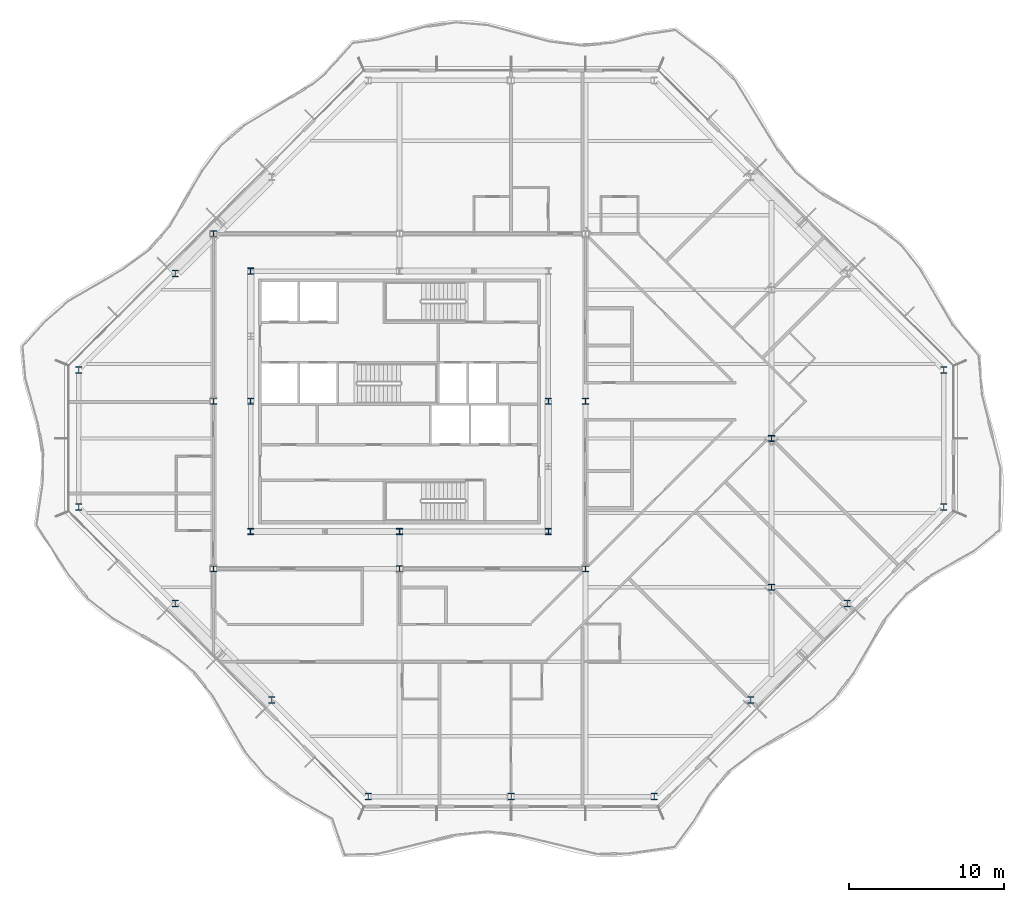
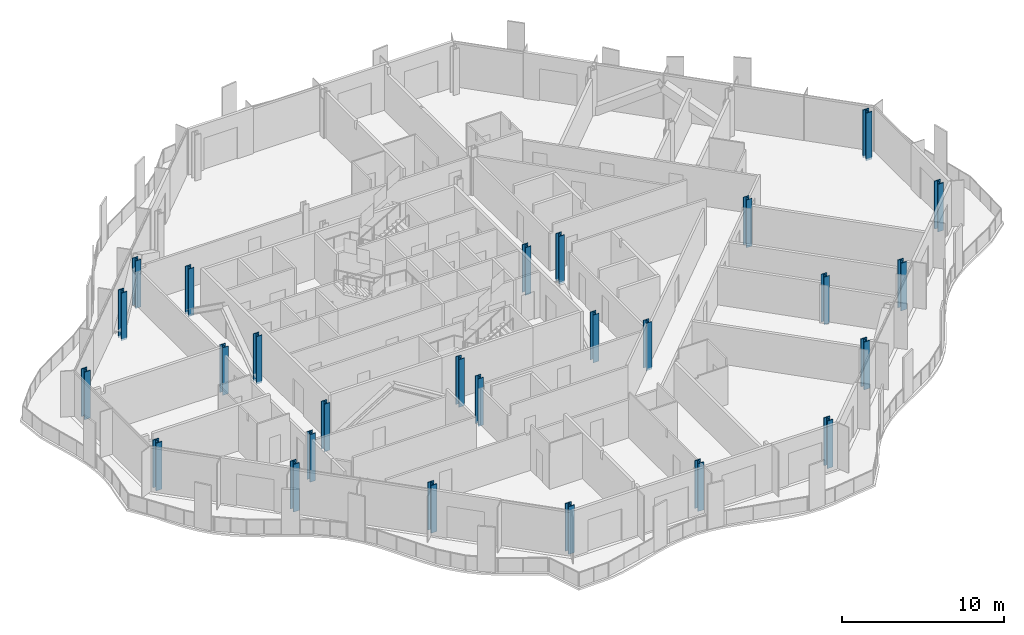
# One storey, part 1 of 17: 26 columns.
"""IFC4 building model written with IfcOpenShell, lengths in metres."""

from ifc_helpers import new_model, si_unit, direction, frame, origin, origin_2d, place, context, subcontext, project, spatial, i_section, extrude, material, material_profile, profile_set, type_object, element, save


model = new_model("IFC4")

# Units and contexts
model_context = context("Model", 3, precision=1e-05, world=origin(), true_north=direction((0.0, 1.0)))
body_context = subcontext(model_context, "Body", "Model", "MODEL_VIEW")
ifc_project = project(units=[si_unit("LENGTHUNIT", "METRE"), si_unit("AREAUNIT", "SQUARE_METRE"), si_unit("VOLUMEUNIT", "CUBIC_METRE"), si_unit("PLANEANGLEUNIT", "RADIAN"), si_unit("MASSUNIT", "GRAM", prefix="KILO")], contexts=[model_context])

# Site, building, storey
site_placement = place(None, origin())
site = spatial("IfcSite", under=ifc_project, at=site_placement, CompositionType="ELEMENT")
building_placement = place(site_placement, origin())
building = spatial("IfcBuilding", under=site, at=building_placement, Name="Cairn Pilgrim Tower", CompositionType="ELEMENT")
storey_placement = place(building_placement, frame((0.0, 0.0, 228.60009765625)))
storey = spatial("IfcBuildingStorey", under=building, at=storey_placement, Name="L58", CompositionType="ELEMENT", Elevation=228.60009765625)

# Columns
ifc_material_1 = material(Name="Structural steel S355J2", Category="steel")
ifc_material_profile_1 = material_profile(ifc_material_1, i_section(OverallWidth=0.39892578125, OverallDepth=0.39306640625, WebThickness=0.022705078125, FlangeThickness=0.03662109375, FilletRadius=0.014892578125, at=origin_2d()), Name="HD 400x287")
ifc_profile_set_1 = profile_set([ifc_material_profile_1], Name="Structural steel S355J2")
column_type_1 = type_object("IfcColumnType", Name="HD 400x287", PredefinedType="COLUMN", material=ifc_profile_set_1)
for number, where, z_axis, x_axis, name in (
    (1, (-4.800048828125, -8.39990234375, -0.150146484375), (0.0, 0.0, 1.0), (1.0, 0.0, 0.0), "IC-1"),
    (2, (7.199951171875, -8.39990234375, -0.150146484375), (0.0, 0.0, 1.0), (1.0, 0.0, 0.0), "IC-2"),
    (3, (19.199951171875, -8.39990234375, -0.150146484375), (0.0, 0.0, 1.0), (1.0, 0.0, 0.0), "IC-3"),
    (4, (-4.800048828125, 2.39990234375, -0.150146484375), (0.0, 0.0, 1.0), (1.0, 0.0, 0.0), "IC-4"),
    (5, (19.199951171875, 2.39990234375, -0.150146484375), (0.0, 0.0, 1.0), (1.0, 0.0, 0.0), "IC-5"),
    (6, (-4.800048828125, 13.199951171875, -0.150146484375), (0.0, 0.0, 1.0), (1.0, 0.0, 0.0), "IC-6"),
    (7, (31.199951171875, -9.60009765625, -0.150146484375), (0.0, 0.0, 1.0), (1.0, 0.0, 0.0), "WC-WE-2"),
    (8, (31.199951171875, 0.0, -0.150146484375), (0.0, 0.0, 1.0), (1.0, 0.0, 0.0), "WC-WE+0"),
):
    element("IfcColumn", number, at=place(storey_placement, frame(where, z_axis=z_axis, x_axis=x_axis)), inside=storey, type_object=column_type_1, Name=name, PredefinedType="COLUMN", context=body_context, shape_type="SweptSolid", body=[
        extrude(i_section(OverallWidth=0.39892578125, OverallDepth=0.39306640625, WebThickness=0.022705078125, FlangeThickness=0.03662109375, FilletRadius=0.014892578125, at=origin_2d()), origin(), (0.0, 0.0, 1.0), 3.60009765625),
    ])
ifc_material_2 = material(Name="Structural steel S460M", Category="steel")
ifc_material_profile_2 = material_profile(ifc_material_2, i_section(OverallWidth=0.404052734375, OverallDepth=0.406982421875, WebThickness=0.027099609375, FlangeThickness=0.043701171875, FilletRadius=0.014892578125, at=origin_2d()), Name="HD 400x347")
ifc_profile_set_2 = profile_set([ifc_material_profile_2], Name="Structural steel S460M")
column_type_2 = type_object("IfcColumnType", Name="HD 400x347", PredefinedType="COLUMN", material=ifc_profile_set_2)
for number, where, z_axis, x_axis, name in (
    (9, (-2.39990234375, -6.0, -0.150146484375), (0.0, 0.0, 1.0), (1.0, 0.0, 0.0), "KC-1"),
    (10, (7.199951171875, -6.0, -0.150146484375), (0.0, 0.0, 1.0), (1.0, 0.0, 0.0), "KC-2"),
    (11, (16.800048828125, -6.0, -0.150146484375), (0.0, 0.0, 1.0), (1.0, 0.0, 0.0), "KC-3"),
    (12, (-2.39990234375, 2.39990234375, -0.150146484375), (0.0, 0.0, 1.0), (1.0, 0.0, 0.0), "KC-4"),
    (13, (16.800048828125, 2.39990234375, -0.150146484375), (0.0, 0.0, 1.0), (1.0, 0.0, 0.0), "KC-5"),
    (14, (-2.39990234375, 10.800048828125, -0.150146484375), (0.0, 0.0, 1.0), (1.0, 0.0, 0.0), "KC-6"),
):
    element("IfcColumn", number, at=place(storey_placement, frame(where, z_axis=z_axis, x_axis=x_axis)), inside=storey, type_object=column_type_2, Name=name, PredefinedType="COLUMN", context=body_context, shape_type="SweptSolid", body=[
        extrude(i_section(OverallWidth=0.404052734375, OverallDepth=0.406982421875, WebThickness=0.027099609375, FlangeThickness=0.043701171875, FilletRadius=0.014892578125, at=origin_2d()), origin(), (0.0, 0.0, 1.0), 3.60009765625),
    ])
ifc_material_profile_3 = material_profile(ifc_material_2, i_section(OverallWidth=0.416015625, OverallDepth=0.446044921875, WebThickness=0.0390625, FlangeThickness=0.062744140625, FilletRadius=0.014892578125, at=origin_2d()), Name="HD 400x509")
ifc_profile_set_3 = profile_set([ifc_material_profile_3], Name="Structural steel S460M")
column_type_3 = type_object("IfcColumnType", Name="HD 400x509", PredefinedType="COLUMN", material=ifc_profile_set_3)
for number, where, z_axis, x_axis, name in (
    (15, (5.1728515625, -23.10009765625, -0.150146484375), (0.0, 0.0, 1.0), (1.0, 0.0, 0.0), "PC3-S1"),
    (16, (14.39990234375, -23.10009765625, -0.150146484375), (0.0, 0.0, 1.0), (1.0, 0.0, 0.0), "PC3-S2"),
    (17, (23.627197265625, -23.10009765625, -0.150146484375), (0.0, 0.0, 1.0), (1.0, 0.0, 0.0), "PC3-SE1"),
    (18, (29.8515625, -16.875732421875, -0.150146484375), (0.0, 0.0, 1.0), (1.0, 0.0, 0.0), "PC3-SE2"),
    (19, (36.07568359375, -10.651611328125, -0.150146484375), (0.0, 0.0, 1.0), (1.0, 0.0, 0.0), "PC3-SE3"),
    (20, (42.300048828125, -4.42724609375, -0.150146484375), (0.0, 0.0, 1.0), (1.0, 0.0, 0.0), "PC3-E1"),
    (21, (42.300048828125, 4.42724609375, -0.150146484375), (0.0, 0.0, 1.0), (1.0, 0.0, 0.0), "PC3-NE1"),
    (22, (-7.275634765625, 10.651611328125, -0.150146484375), (0.0, 0.0, 1.0), (1.0, 0.0, 0.0), "PC3-NW3"),
    (23, (-13.5, 4.42724609375, -0.150146484375), (0.0, 0.0, 1.0), (1.0, 0.0, 0.0), "PC3-W1"),
    (24, (-13.5, -4.42724609375, -0.150146484375), (0.0, 0.0, 1.0), (1.0, 0.0, 0.0), "PC3-SW1"),
    (25, (-7.275634765625, -10.651611328125, -0.150146484375), (0.0, 0.0, 1.0), (1.0, 0.0, 0.0), "PC3-SW2"),
    (26, (-1.051513671875, -16.875732421875, -0.150146484375), (0.0, 0.0, 1.0), (1.0, 0.0, 0.0), "PC3-SW3"),
):
    element("IfcColumn", number, at=place(storey_placement, frame(where, z_axis=z_axis, x_axis=x_axis)), inside=storey, type_object=column_type_3, Name=name, PredefinedType="COLUMN", context=body_context, shape_type="SweptSolid", body=[
        extrude(i_section(OverallWidth=0.416015625, OverallDepth=0.446044921875, WebThickness=0.0390625, FlangeThickness=0.062744140625, FilletRadius=0.014892578125, at=origin_2d()), origin(), (0.0, 0.0, 1.0), 3.60009765625),
    ])

save(model, "model.ifc")
